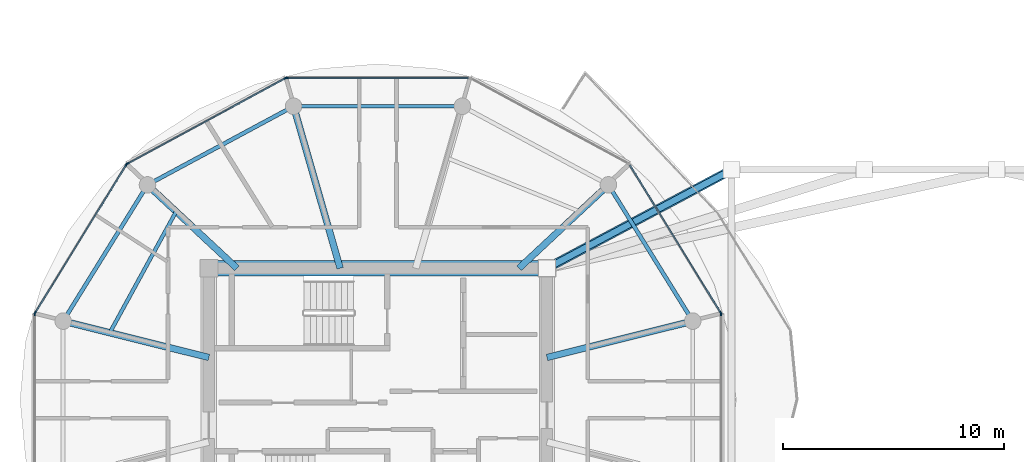
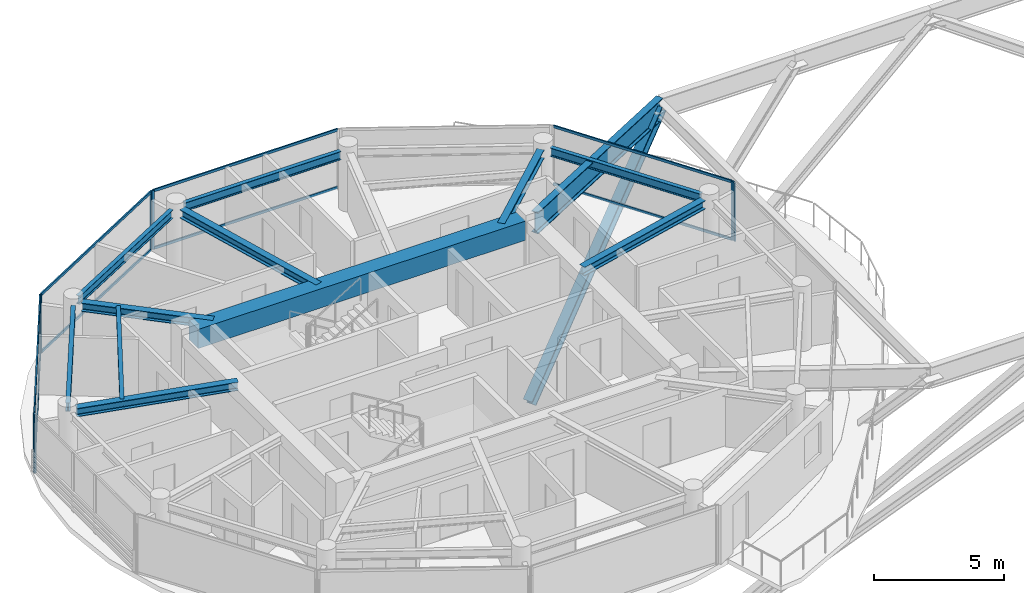
# One storey, part 4 of 23: 17 members, 12 beams, 6 elements without a shape of their own.
"""IFC4 building model written with IfcOpenShell, lengths in metres."""

from ifc_helpers import new_model, si_unit, direction, frame, origin, origin_2d, place, context, subcontext, project, spatial, rectangle, i_section, extrude, source, transform, mapped, material, layer, layer_set, material_profile, profile_set, type_object, type_shapes, element, aggregate, save


model = new_model("IFC4")

# Units and contexts
model_context = context("Model", 3, precision=1e-05, world=origin(), true_north=direction((0.0, 1.0)))
body_context = subcontext(model_context, "Body", "Model", "MODEL_VIEW")
ifc_project = project(units=[si_unit("LENGTHUNIT", "METRE"), si_unit("AREAUNIT", "SQUARE_METRE"), si_unit("VOLUMEUNIT", "CUBIC_METRE"), si_unit("PLANEANGLEUNIT", "RADIAN"), si_unit("MASSUNIT", "GRAM", prefix="KILO")], contexts=[model_context])

# Site, building, storey
site_placement = place(None, origin())
site = spatial("IfcSite", under=ifc_project, at=site_placement, CompositionType="ELEMENT")
building_placement = place(site_placement, origin())
building = spatial("IfcBuilding", under=site, at=building_placement, Name="Norrkilde Senior Care Towers", CompositionType="ELEMENT")
storey_placement = place(building_placement, frame((0.0, 0.0, 196.75)))
storey = spatial("IfcBuildingStorey", under=building, at=storey_placement, Name="L61", CompositionType="ELEMENT", Elevation=196.75)

# Beams
ifc_material_1 = material(Name="Concrete C60/75", Category="concrete")
ifc_material_profile_1 = material_profile(ifc_material_1, rectangle(XDim=0.699951171875, YDim=0.89990234375, at=origin_2d()), Name="RC BM 700x900")
ifc_profile_set_1 = profile_set([ifc_material_profile_1], Name="Concrete C60/75")
beam_type_1 = type_object("IfcBeamType", Name="Core Coupling Girder 700x900", PredefinedType="USERDEFINED", material=ifc_profile_set_1)
shared_shape_1 = source(origin(), body_context, "Body", "SweptSolid", [
    extrude(rectangle(XDim=0.699951171875, YDim=0.89990234375, at=origin_2d()), origin(), (0.0, 0.0, 1.0), 14.5400390625),
])
type_shapes(beam_type_1, [shared_shape_1])
beam_1_placement = place(storey_placement, frame((-35.27001953125, 5.949951171875, 2.31005859375), z_axis=(1.0, 0.0, 0.0), x_axis=(0.0, 1.0, 0.0)))
element("IfcBeam", 1, at=beam_1_placement, inside=storey, type_object=beam_type_1, Name="L61 Core W N Coupling Girder", ObjectType="GIRDER", PredefinedType="USERDEFINED", context=body_context, shape_type="MappedRepresentation", body=[
    mapped(shared_shape_1, transform((0.0, 0.0, 0.0), x_axis=(1.0, 0.0, 0.0), y_axis=(0.0, 1.0, 0.0), z_axis=(0.0, 0.0, 1.0), scale=1.0)),
])
ifc_material_2 = material(Name="Steel S355", Category="steel")
ifc_material_profile_2 = material_profile(ifc_material_2, i_section(OverallWidth=0.179931640625, OverallDepth=0.39990234375, WebThickness=0.008544921875, FlangeThickness=0.013427734375, FilletRadius=0.02099609375, at=origin_2d()), Name="IPE 400")
ifc_profile_set_2 = profile_set([ifc_material_profile_2], Name="Steel S355")
beam_type_2 = type_object("IfcBeamType", Name="Perimeter Ring Spandrel Z4 IPE400", PredefinedType="SPANDREL", material=ifc_profile_set_2)
shared_shape_2 = source(origin(), body_context, "Body", "SweptSolid", [
    extrude(i_section(OverallWidth=0.179931640625, OverallDepth=0.39990234375, WebThickness=0.008544921875, FlangeThickness=0.013427734375, FilletRadius=0.02099609375, at=origin_2d()), origin(), (0.0, 0.0, 1.0), 6.58056640625),
])
for number, where, z_axis, x_axis, name in (
    (2, (-13.928955078125, 3.843505859375, 2.56005859375), (-0.526529583789, 0.850156807533, 0.0), (-0.850156807533, -0.526529583789, 0.0), "L61 Drum W Perimeter Spandrel 01"),
    (3, (-38.606201171875, 9.43798828125, 2.56005859375), (-0.526529583789, -0.850156807533, 0.0), (0.850156807533, -0.526529583789, 0.0), "L61 Drum W Perimeter Spandrel 05"),
):
    element("IfcBeam", number, at=place(storey_placement, frame(where, z_axis=z_axis, x_axis=x_axis)), inside=storey, type_object=beam_type_2, Name=name, PredefinedType="SPANDREL", context=body_context, shape_type="MappedRepresentation", body=[
        mapped(shared_shape_2, transform((0.0, 0.0, 0.0), x_axis=(1.0, 0.0, 0.0), y_axis=(0.0, 1.0, 0.0), z_axis=(0.0, 0.0, 1.0), scale=1.0)),
    ])
ifc_material_profile_3 = material_profile(ifc_material_2, i_section(OverallWidth=0.300048828125, OverallDepth=0.39990234375, WebThickness=0.013427734375, FlangeThickness=0.02392578125, FilletRadius=0.027099609375, at=origin_2d()), Name="HEB 400")
ifc_profile_set_3 = profile_set([ifc_material_profile_3], Name="Steel S355")
beam_type_3 = type_object("IfcBeamType", Name="Radial Floor Beam Z4 HEB400", PredefinedType="BEAM", material=ifc_profile_set_3)
shared_shape_3 = source(origin(), body_context, "Body", "SweptSolid", [
    extrude(i_section(OverallWidth=0.300048828125, OverallDepth=0.39990234375, WebThickness=0.013427734375, FlangeThickness=0.02392578125, FilletRadius=0.027099609375, at=origin_2d()), origin(), (0.0, 0.0, 1.0), 6.465087890625),
])
for number, where, z_axis, x_axis, name in (
    (4, (-20.35009765625, 1.910888671875, 2.56005859375), (0.970195788563, 0.242322371758, 0.0), (-0.242322371758, 0.970195788563, 0.0), "L61 Drum W Radial Floor Beam 01"),
    (5, (-35.64990234375, 1.910888671875, 2.56005859375), (-0.970195788563, 0.242322371758, 0.0), (-0.242322371758, -0.970195788563, 0.0), "L61 Drum W Radial Floor Beam 06"),
):
    element("IfcBeam", number, at=place(storey_placement, frame(where, z_axis=z_axis, x_axis=x_axis)), inside=storey, type_object=beam_type_3, Name=name, PredefinedType="BEAM", context=body_context, shape_type="MappedRepresentation", body=[
        mapped(shared_shape_3, transform((0.0, 0.0, 0.0), x_axis=(1.0, 0.0, 0.0), y_axis=(0.0, 1.0, 0.0), z_axis=(0.0, 0.0, 1.0), scale=1.0)),
    ])
shared_shape_4 = source(origin(), body_context, "Body", "SweptSolid", [
    extrude(i_section(OverallWidth=0.179931640625, OverallDepth=0.39990234375, WebThickness=0.008544921875, FlangeThickness=0.013427734375, FilletRadius=0.02099609375, at=origin_2d()), origin(), (0.0, 0.0, 1.0), 6.839111328125),
])
beam_2_placement = place(storey_placement, frame((-32.112548828125, 13.122802734375, 2.56005859375), z_axis=(-0.880563930732, -0.473927382511, 0.0), x_axis=(0.473927382511, -0.880563930732, 0.0)))
element("IfcBeam", 6, at=beam_2_placement, inside=storey, type_object=beam_type_2, Name="L61 Drum W Perimeter Spandrel 04", PredefinedType="SPANDREL", context=body_context, shape_type="MappedRepresentation", body=[
    mapped(shared_shape_4, transform((0.0, 0.0, 0.0), x_axis=(1.0, 0.0, 0.0), y_axis=(0.0, 1.0, 0.0), z_axis=(0.0, 0.0, 1.0), scale=1.0)),
])
shared_shape_5 = source(origin(), body_context, "Body", "SweptSolid", [
    extrude(i_section(OverallWidth=0.300048828125, OverallDepth=0.39990234375, WebThickness=0.013427734375, FlangeThickness=0.02392578125, FilletRadius=0.027099609375, at=origin_2d()), origin(), (0.0, 0.0, 1.0), 5.197998046875),
])
for number, where, z_axis, x_axis, name in (
    (7, (-21.6171875, 5.949951171875, 2.56005859375), (0.731448749334, 0.681896419625, 0.0), (-0.681896419625, 0.731448749334, 0.0), "L61 Drum W Radial Floor Beam 02"),
    (8, (-34.3828125, 5.949951171875, 2.56005859375), (-0.731448749334, 0.681896419625, 0.0), (-0.681896419625, -0.731448749334, 0.0), "L61 Drum W Radial Floor Beam 05"),
):
    element("IfcBeam", number, at=place(storey_placement, frame(where, z_axis=z_axis, x_axis=x_axis)), inside=storey, type_object=beam_type_3, Name=name, PredefinedType="BEAM", context=body_context, shape_type="MappedRepresentation", body=[
        mapped(shared_shape_5, transform((0.0, 0.0, 0.0), x_axis=(1.0, 0.0, 0.0), y_axis=(0.0, 1.0, 0.0), z_axis=(0.0, 0.0, 1.0), scale=1.0)),
    ])
shared_shape_6 = source(origin(), body_context, "Body", "SweptSolid", [
    extrude(i_section(OverallWidth=0.179931640625, OverallDepth=0.39990234375, WebThickness=0.008544921875, FlangeThickness=0.013427734375, FilletRadius=0.02099609375, at=origin_2d()), origin(), (0.0, 0.0, 1.0), 6.96533203125),
])
type_shapes(beam_type_2, [shared_shape_2, shared_shape_4, shared_shape_6])
beam_3_placement = place(storey_placement, frame((-24.517333984375, 13.281494140625, 2.56005859375), z_axis=(-1.0, 0.0, 0.0), x_axis=(0.0, -1.0, 0.0)))
element("IfcBeam", 9, at=beam_3_placement, inside=storey, type_object=beam_type_2, Name="L61 Drum W Perimeter Spandrel 03", PredefinedType="SPANDREL", context=body_context, shape_type="MappedRepresentation", body=[
    mapped(shared_shape_6, transform((0.0, 0.0, 0.0), x_axis=(1.0, 0.0, 0.0), y_axis=(0.0, 1.0, 0.0), z_axis=(0.0, 0.0, 1.0), scale=1.0)),
])
shared_shape_7 = source(origin(), body_context, "Body", "SweptSolid", [
    extrude(i_section(OverallWidth=0.300048828125, OverallDepth=0.39990234375, WebThickness=0.013427734375, FlangeThickness=0.02392578125, FilletRadius=0.027099609375, at=origin_2d()), origin(), (0.0, 0.0, 1.0), 7.29345703125),
])
type_shapes(beam_type_3, [shared_shape_3, shared_shape_5, shared_shape_7])
beam_4_placement = place(storey_placement, frame((-29.710205078125, 5.949951171875, 2.56005859375), z_axis=(-0.276263751906, 0.961081858836, 0.0), x_axis=(-0.961081858836, -0.276263751906, 0.0)))
element("IfcBeam", 10, at=beam_4_placement, inside=storey, type_object=beam_type_3, Name="L61 Drum W Radial Floor Beam 04", PredefinedType="BEAM", context=body_context, shape_type="MappedRepresentation", body=[
    mapped(shared_shape_7, transform((0.0, 0.0, 0.0), x_axis=(1.0, 0.0, 0.0), y_axis=(0.0, 1.0, 0.0), z_axis=(0.0, 0.0, 1.0), scale=1.0)),
])
ifc_material_profile_4 = material_profile(ifc_material_2, i_section(OverallWidth=0.169921875, OverallDepth=0.360107421875, WebThickness=0.008056640625, FlangeThickness=0.0126953125, FilletRadius=0.01806640625, at=origin_2d()), Name="IPE 360")
ifc_profile_set_4 = profile_set([ifc_material_profile_4], Name="Steel S355")
beam_type_4 = type_object("IfcBeamType", Name="Secondary Floor Joist IPE360", PredefinedType="JOIST", material=ifc_profile_set_4)
shared_shape_8 = source(origin(), body_context, "Body", "SweptSolid", [
    extrude(i_section(OverallWidth=0.169921875, OverallDepth=0.360107421875, WebThickness=0.008056640625, FlangeThickness=0.0126953125, FilletRadius=0.01806640625, at=origin_2d()), origin(), (0.0, 0.0, 1.0), 6.25146484375),
])
type_shapes(beam_type_4, [shared_shape_8])
beam_5_placement = place(storey_placement, frame((-37.134765625, 8.515380859375, 2.580078125), z_axis=(-0.480115752653, -0.877205143655, 0.0), x_axis=(0.877205143655, -0.480115752653, 0.0)))
element("IfcBeam", 11, at=beam_5_placement, inside=storey, type_object=beam_type_4, Name="L61 Drum W Secondary Floor Joist 2", PredefinedType="JOIST", context=body_context, shape_type="MappedRepresentation", body=[
    mapped(shared_shape_8, transform((0.0, 0.0, 0.0), x_axis=(1.0, 0.0, 0.0), y_axis=(0.0, 1.0, 0.0), z_axis=(0.0, 0.0, 1.0), scale=1.0)),
])
ifc_material_profile_5 = material_profile(ifc_material_2, i_section(OverallWidth=0.300048828125, OverallDepth=1.0, WebThickness=0.01904296875, FlangeThickness=0.035888671875, FilletRadius=0.030029296875, at=origin_2d()), Name="HEB 1000")
ifc_profile_set_5 = profile_set([ifc_material_profile_5], Name="Steel S355")
beam_type_5 = type_object("IfcBeamType", Name="Sky Pool Cantilever Girder HEB1000", PredefinedType="USERDEFINED", material=ifc_profile_set_5)
shared_shape_9 = source(origin(), body_context, "Body", "SweptSolid", [
    extrude(i_section(OverallWidth=0.300048828125, OverallDepth=1.0, WebThickness=0.01904296875, FlangeThickness=0.035888671875, FilletRadius=0.030029296875, at=origin_2d()), origin(), (0.0, 0.0, 1.0), 9.081787109375),
])
type_shapes(beam_type_5, [shared_shape_9])
beam_6_placement = place(storey_placement, frame((-20.0146484375, 6.128662109375, 2.1298828125), z_axis=(0.882500984168, 0.47031054947, 0.0), x_axis=(-0.47031054947, 0.882500984168, 0.0)))
element("IfcBeam", 12, at=beam_6_placement, inside=storey, type_object=beam_type_5, Name="L61 Sky-Gate Bridge Transfer Girder N1", ObjectType="GIRDER", PredefinedType="USERDEFINED", context=body_context, shape_type="MappedRepresentation", body=[
    mapped(shared_shape_9, transform((0.0, 0.0, 0.0), x_axis=(1.0, 0.0, 0.0), y_axis=(0.0, 1.0, 0.0), z_axis=(0.0, 0.0, 1.0), scale=1.0)),
])

# Member
ifc_material_profile_6 = material_profile(ifc_material_2, i_section(OverallWidth=0.412109375, OverallDepth=0.449951171875, WebThickness=0.028076171875, FlangeThickness=0.044921875, FilletRadius=0.014892578125, at=origin_2d()), Name="HD 400x509")
ifc_profile_set_6 = profile_set([ifc_material_profile_6], Name="Steel S355")
member_type_1 = type_object("IfcMemberType", Name="Pratt Bridge Truss Diagonal HD400x509", PredefinedType="BRACE", material=ifc_profile_set_6)
shared_shape_10 = source(origin(), body_context, "Body", "SweptSolid", [
    extrude(i_section(OverallWidth=0.412109375, OverallDepth=0.449951171875, WebThickness=0.028076171875, FlangeThickness=0.044921875, FilletRadius=0.014892578125, at=origin_2d()), origin(), (0.0, 0.0, 1.0), 12.540283203125),
])
type_shapes(member_type_1, [shared_shape_10])
member_1_placement = place(storey_placement, frame((-20.35009765625, 5.949951171875, -6.10009765625), z_axis=(0.665861815831, 0.354852444803, 0.656283311258), x_axis=(-0.470305631528, 0.882503605065, 0.0)))
element("IfcMember", 13, at=member_1_placement, inside=storey, type_object=member_type_1, Name="L61 Sky-Gate Portal Arch Strut N-W12", PredefinedType="BRACE", context=body_context, shape_type="MappedRepresentation", body=[
    mapped(shared_shape_10, transform((0.0, 0.0, 0.0), x_axis=(1.0, 0.0, 0.0), y_axis=(0.0, 1.0, 0.0), z_axis=(0.0, 0.0, 1.0), scale=1.0)),
])

# Curtain wall, members
ifc_material_3 = material(Name="Triple Low-E Insulated Glazing", Category="glass")
ifc_layer = layer(ifc_material_3, 0.18505859375)
ifc_layer_set = layer_set([ifc_layer], Name="Triple Low-E Insulated Glazing")
curtain_wall_type = type_object("IfcCurtainWallType", Name="CW6 Zone 4 Crown Pavilion Curtain Wall", PredefinedType="NOTDEFINED", material=ifc_layer_set)
curtain_wall_1_placement = place(storey_placement, origin())
curtain_wall_1 = element("IfcCurtainWall", 14, at=curtain_wall_1_placement, inside=storey, type_object=curtain_wall_type, Name="L61 Drum W Curtain Wall 00", PredefinedType="NOTDEFINED")
ifc_material_4 = material(Name="Anodised Aluminium", Category="aluminium")
ifc_material_profile_7 = material_profile(ifc_material_4, rectangle(XDim=0.06005859375, YDim=0.1201171875, at=origin_2d()), Name="ALU TRAN 60x120")
ifc_profile_set_7 = profile_set([ifc_material_profile_7], Name="Anodised Aluminium")
member_type_2 = type_object("IfcMemberType", Name="Curtain Wall Transom Typical 60x120", PredefinedType="USERDEFINED", material=ifc_profile_set_7)
shared_shape_11 = source(origin(), body_context, "Body", "SweptSolid", [
    extrude(rectangle(XDim=0.06005859375, YDim=0.1201171875, at=origin_2d()), origin(), (0.0, 0.0, 1.0), 7.808837890625),
])
member_2_placement = place(storey_placement, frame((-16.595703125, 10.60791015625, 0.030029296875), z_axis=(0.524250924101, -0.851563837055, 0.0), x_axis=(0.851563837055, 0.524250924101, 0.0)))
member_2 = element("IfcMember", 15, at=member_2_placement, type_object=member_type_2, Name="CW-6 transom 1.1", ObjectType="TRANSOM", PredefinedType="USERDEFINED", context=body_context, shape_type="MappedRepresentation", body=[
    mapped(shared_shape_11, transform((0.0, 0.0, 0.0), x_axis=(1.0, 0.0, 0.0), y_axis=(0.0, 1.0, 0.0), z_axis=(0.0, 0.0, 1.0), scale=1.0)),
])
member_3_placement = place(storey_placement, frame((-16.595703125, 10.60791015625, 2.72998046875), z_axis=(0.524250924101, -0.851563837055, 0.0), x_axis=(0.851563837055, 0.524250924101, 0.0)))
member_3 = element("IfcMember", 16, at=member_3_placement, type_object=member_type_2, Name="CW-6 transom 1.2", ObjectType="TRANSOM", PredefinedType="USERDEFINED", context=body_context, shape_type="MappedRepresentation", body=[
    mapped(shared_shape_11, transform((0.0, 0.0, 0.0), x_axis=(1.0, 0.0, 0.0), y_axis=(0.0, 1.0, 0.0), z_axis=(0.0, 0.0, 1.0), scale=1.0)),
])

curtain_wall_2_placement = place(storey_placement, origin())
curtain_wall_2 = element("IfcCurtainWall", 17, at=curtain_wall_2_placement, inside=storey, type_object=curtain_wall_type, Name="L61 Drum W Curtain Wall 04", PredefinedType="NOTDEFINED")
member_4_placement = place(storey_placement, frame((-43.498046875, 3.958251953125, 0.030029296875), z_axis=(0.524250924101, 0.851563837055, 0.0), x_axis=(-0.851563837055, 0.524250924101, 0.0)))
member_4 = element("IfcMember", 18, at=member_4_placement, type_object=member_type_2, Name="CW-6 transom 1.1", ObjectType="TRANSOM", PredefinedType="USERDEFINED", context=body_context, shape_type="MappedRepresentation", body=[
    mapped(shared_shape_11, transform((0.0, 0.0, 0.0), x_axis=(1.0, 0.0, 0.0), y_axis=(0.0, 1.0, 0.0), z_axis=(0.0, 0.0, 1.0), scale=1.0)),
])
member_5_placement = place(storey_placement, frame((-43.498046875, 3.958251953125, 2.72998046875), z_axis=(0.524250924101, 0.851563837055, 0.0), x_axis=(-0.851563837055, 0.524250924101, 0.0)))
member_5 = element("IfcMember", 19, at=member_5_placement, type_object=member_type_2, Name="CW-6 transom 1.2", ObjectType="TRANSOM", PredefinedType="USERDEFINED", context=body_context, shape_type="MappedRepresentation", body=[
    mapped(shared_shape_11, transform((0.0, 0.0, 0.0), x_axis=(1.0, 0.0, 0.0), y_axis=(0.0, 1.0, 0.0), z_axis=(0.0, 0.0, 1.0), scale=1.0)),
])

curtain_wall_3_placement = place(storey_placement, origin())
curtain_wall_3 = element("IfcCurtainWall", 20, at=curtain_wall_3_placement, inside=storey, type_object=curtain_wall_type, Name="L61 Drum W Curtain Wall 02", PredefinedType="NOTDEFINED")
shared_shape_12 = source(origin(), body_context, "Body", "SweptSolid", [
    extrude(rectangle(XDim=0.06005859375, YDim=0.1201171875, at=origin_2d()), origin(), (0.0, 0.0, 1.0), 8.19384765625),
])
member_6_placement = place(storey_placement, frame((-32.096923828125, 14.566162109375, 0.030029296875), z_axis=(1.0, 0.0, 0.0), x_axis=(0.0, 1.0, 0.0)))
member_6 = element("IfcMember", 21, at=member_6_placement, type_object=member_type_2, Name="CW-6 transom 1.1", ObjectType="TRANSOM", PredefinedType="USERDEFINED", context=body_context, shape_type="MappedRepresentation", body=[
    mapped(shared_shape_12, transform((0.0, 0.0, 0.0), x_axis=(1.0, 0.0, 0.0), y_axis=(0.0, 1.0, 0.0), z_axis=(0.0, 0.0, 1.0), scale=1.0)),
])
member_7_placement = place(storey_placement, frame((-32.096923828125, 14.566162109375, 2.72998046875), z_axis=(1.0, 0.0, 0.0), x_axis=(0.0, 1.0, 0.0)))
member_7 = element("IfcMember", 22, at=member_7_placement, type_object=member_type_2, Name="CW-6 transom 1.2", ObjectType="TRANSOM", PredefinedType="USERDEFINED", context=body_context, shape_type="MappedRepresentation", body=[
    mapped(shared_shape_12, transform((0.0, 0.0, 0.0), x_axis=(1.0, 0.0, 0.0), y_axis=(0.0, 1.0, 0.0), z_axis=(0.0, 0.0, 1.0), scale=1.0)),
])

curtain_wall_4_placement = place(storey_placement, origin())
curtain_wall_4 = element("IfcCurtainWall", 23, at=curtain_wall_4_placement, inside=storey, type_object=curtain_wall_type, Name="L61 Drum W Curtain Wall 03", PredefinedType="NOTDEFINED")
shared_shape_13 = source(origin(), body_context, "Body", "SweptSolid", [
    extrude(rectangle(XDim=0.06005859375, YDim=0.1201171875, at=origin_2d()), origin(), (0.0, 0.0, 1.0), 8.0673828125),
])
type_shapes(member_type_2, [shared_shape_11, shared_shape_12, shared_shape_13])
member_8_placement = place(storey_placement, frame((-39.313232421875, 10.694091796875, 0.030029296875), z_axis=(0.87937750072, 0.476125205411, 0.0), x_axis=(-0.476125205411, 0.87937750072, 0.0)))
member_8 = element("IfcMember", 24, at=member_8_placement, type_object=member_type_2, Name="CW-6 transom 1.1", ObjectType="TRANSOM", PredefinedType="USERDEFINED", context=body_context, shape_type="MappedRepresentation", body=[
    mapped(shared_shape_13, transform((0.0, 0.0, 0.0), x_axis=(1.0, 0.0, 0.0), y_axis=(0.0, 1.0, 0.0), z_axis=(0.0, 0.0, 1.0), scale=1.0)),
])
member_9_placement = place(storey_placement, frame((-39.313232421875, 10.694091796875, 2.72998046875), z_axis=(0.87937750072, 0.476125205411, 0.0), x_axis=(-0.476125205411, 0.87937750072, 0.0)))
member_9 = element("IfcMember", 25, at=member_9_placement, type_object=member_type_2, Name="CW-6 transom 1.2", ObjectType="TRANSOM", PredefinedType="USERDEFINED", context=body_context, shape_type="MappedRepresentation", body=[
    mapped(shared_shape_13, transform((0.0, 0.0, 0.0), x_axis=(1.0, 0.0, 0.0), y_axis=(0.0, 1.0, 0.0), z_axis=(0.0, 0.0, 1.0), scale=1.0)),
])

# Member
ifc_material_profile_8 = material_profile(ifc_material_4, rectangle(XDim=0.06494140625, YDim=0.14990234375, at=origin_2d()), Name="ALU MULL 65x150")
ifc_profile_set_8 = profile_set([ifc_material_profile_8], Name="Anodised Aluminium")
member_type_3 = type_object("IfcMemberType", Name="Curtain Wall Mullion Z3-Z4 65x150", PredefinedType="MULLION", material=ifc_profile_set_8)
shared_shape_14 = source(origin(), body_context, "Body", "SweptSolid", [
    extrude(rectangle(XDim=0.06494140625, YDim=0.14990234375, at=origin_2d()), origin(), (0.0, 0.0, 1.0), 2.760009765625),
])
type_shapes(member_type_3, [shared_shape_14])
member_10_placement = place(storey_placement, frame((-12.48486328125, 3.9306640625, 0.0), z_axis=(0.0, 0.0, 1.0), x_axis=(0.851562727283, 0.524252726748, 0.0)))
member_10 = element("IfcMember", 26, at=member_10_placement, type_object=member_type_3, Name="CW-6 mullion 2", PredefinedType="MULLION", context=body_context, shape_type="MappedRepresentation", body=[
    mapped(shared_shape_14, transform((0.0, 0.0, 0.0), x_axis=(1.0, 0.0, 0.0), y_axis=(0.0, 1.0, 0.0), z_axis=(0.0, 0.0, 1.0), scale=1.0)),
])

aggregate(curtain_wall_1, [member_10, member_2, member_3])

member_11_placement = place(storey_placement, frame((-32.12939453125, 14.566162109375, 0.0), z_axis=(0.0, 0.0, 1.0), x_axis=(0.0, 1.0, 0.0)))
member_11 = element("IfcMember", 27, at=member_11_placement, type_object=member_type_3, Name="CW-6 mullion 1", PredefinedType="MULLION", context=body_context, shape_type="MappedRepresentation", body=[
    mapped(shared_shape_14, transform((0.0, 0.0, 0.0), x_axis=(1.0, 0.0, 0.0), y_axis=(0.0, 1.0, 0.0), z_axis=(0.0, 0.0, 1.0), scale=1.0)),
])

aggregate(curtain_wall_3, [member_11, member_6, member_7])

member_12_placement = place(storey_placement, frame((-39.341796875, 10.6787109375, 0.0), z_axis=(0.0, 0.0, 1.0), x_axis=(-0.476132676136, 0.879373455772, 0.0)))
member_12 = element("IfcMember", 28, at=member_12_placement, type_object=member_type_3, Name="CW-6 mullion 1", PredefinedType="MULLION", context=body_context, shape_type="MappedRepresentation", body=[
    mapped(shared_shape_14, transform((0.0, 0.0, 0.0), x_axis=(1.0, 0.0, 0.0), y_axis=(0.0, 1.0, 0.0), z_axis=(0.0, 0.0, 1.0), scale=1.0)),
])

member_13_placement = place(storey_placement, frame((-32.1904296875, 14.55078125, 0.0), z_axis=(0.0, 0.0, 1.0), x_axis=(-0.476132676136, 0.879373455772, 0.0)))
member_13 = element("IfcMember", 29, at=member_13_placement, type_object=member_type_3, Name="CW-6 mullion 2", PredefinedType="MULLION", context=body_context, shape_type="MappedRepresentation", body=[
    mapped(shared_shape_14, transform((0.0, 0.0, 0.0), x_axis=(1.0, 0.0, 0.0), y_axis=(0.0, 1.0, 0.0), z_axis=(0.0, 0.0, 1.0), scale=1.0)),
])

aggregate(curtain_wall_4, [member_12, member_13, member_8, member_9])

member_14_placement = place(storey_placement, frame((-43.51513671875, 3.9306640625, 0.0), z_axis=(0.0, 0.0, 1.0), x_axis=(-0.851562727283, 0.524252726748, 0.0)))
member_14 = element("IfcMember", 30, at=member_14_placement, type_object=member_type_3, Name="CW-6 mullion 1", PredefinedType="MULLION", context=body_context, shape_type="MappedRepresentation", body=[
    mapped(shared_shape_14, transform((0.0, 0.0, 0.0), x_axis=(1.0, 0.0, 0.0), y_axis=(0.0, 1.0, 0.0), z_axis=(0.0, 0.0, 1.0), scale=1.0)),
])

member_15_placement = place(storey_placement, frame((-39.38720703125, 10.635498046875, 0.0), z_axis=(0.0, 0.0, 1.0), x_axis=(-0.851562727283, 0.524252726748, 0.0)))
member_15 = element("IfcMember", 31, at=member_15_placement, type_object=member_type_3, Name="CW-6 mullion 2", PredefinedType="MULLION", context=body_context, shape_type="MappedRepresentation", body=[
    mapped(shared_shape_14, transform((0.0, 0.0, 0.0), x_axis=(1.0, 0.0, 0.0), y_axis=(0.0, 1.0, 0.0), z_axis=(0.0, 0.0, 1.0), scale=1.0)),
])

aggregate(curtain_wall_2, [member_14, member_15, member_4, member_5])

# Curtain wall, member
curtain_wall_5_placement = place(storey_placement, origin())
curtain_wall_5 = element("IfcCurtainWall", 32, at=curtain_wall_5_placement, inside=storey, type_object=curtain_wall_type, Name="L61 Drum W Curtain Wall 05", PredefinedType="NOTDEFINED")
member_16_placement = place(storey_placement, frame((-43.531982421875, 3.87060546875, 0.0), z_axis=(0.0, 0.0, 1.0), x_axis=(-1.0, 0.0, 0.0)))
member_16 = element("IfcMember", 33, at=member_16_placement, type_object=member_type_3, Name="CW-6 mullion 2", PredefinedType="MULLION", context=body_context, shape_type="MappedRepresentation", body=[
    mapped(shared_shape_14, transform((0.0, 0.0, 0.0), x_axis=(1.0, 0.0, 0.0), y_axis=(0.0, 1.0, 0.0), z_axis=(0.0, 0.0, 1.0), scale=1.0)),
])
aggregate(curtain_wall_5, [member_16])

curtain_wall_6_placement = place(storey_placement, origin())
curtain_wall_6 = element("IfcCurtainWall", 34, at=curtain_wall_6_placement, inside=storey, type_object=curtain_wall_type, Name="L61 Drum W Curtain Wall 11", PredefinedType="NOTDEFINED")
member_17_placement = place(storey_placement, frame((-12.468017578125, 3.87060546875, 0.0), z_axis=(0.0, 0.0, 1.0), x_axis=(1.0, 0.0, 0.0)))
member_17 = element("IfcMember", 35, at=member_17_placement, type_object=member_type_3, Name="CW-6 mullion 1", PredefinedType="MULLION", context=body_context, shape_type="MappedRepresentation", body=[
    mapped(shared_shape_14, transform((0.0, 0.0, 0.0), x_axis=(1.0, 0.0, 0.0), y_axis=(0.0, 1.0, 0.0), z_axis=(0.0, 0.0, 1.0), scale=1.0)),
])
aggregate(curtain_wall_6, [member_17])

save(model, "model.ifc")
